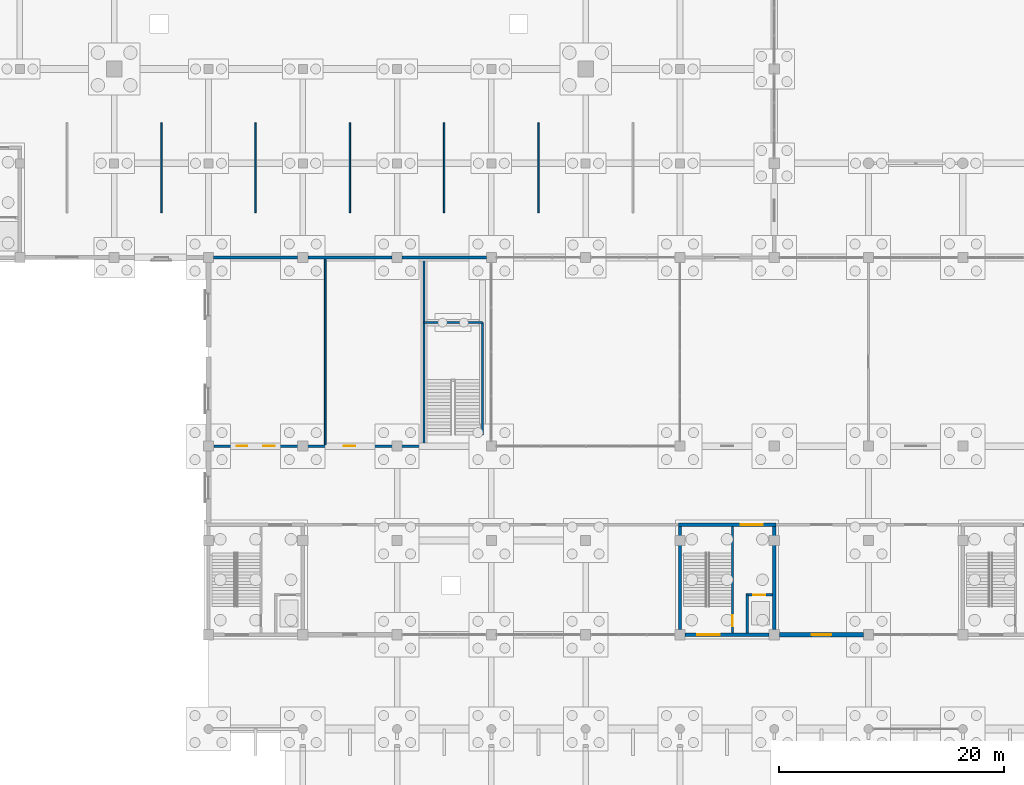
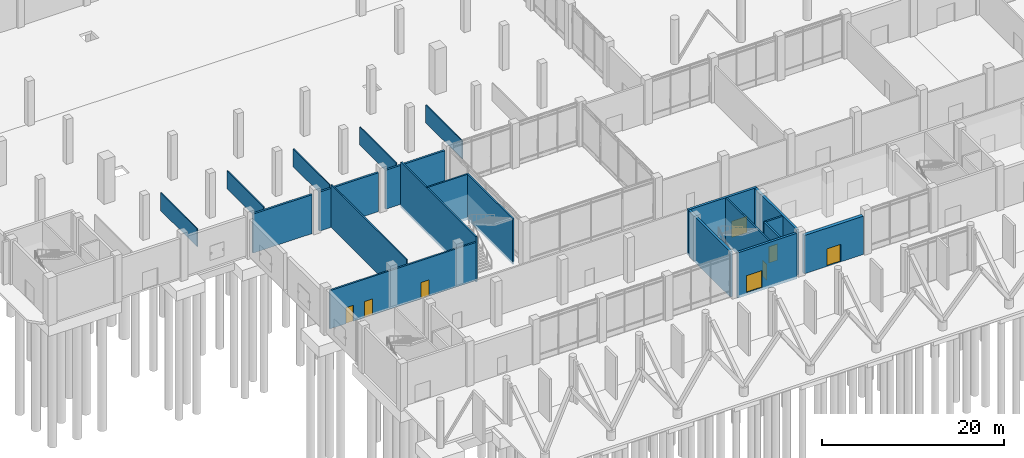
# One storey, part 52 of 72: 21 walls, 8 doors, 8 openings.
"""IFC4 building model written with IfcOpenShell, lengths in metres."""

from ifc_helpers import new_model, si_unit, direction, frame, frame_2d, origin, place, context, subcontext, project, spatial, rectangle, extrude, material, layer, layer_set, type_object, element, fill, save


model = new_model("IFC4")

# Units and contexts
model_context = context("Model", 3, precision=1e-05, world=origin(), true_north=direction((0.0, 1.0)))
body_context = subcontext(model_context, "Body", "Model", "MODEL_VIEW")
ifc_project = project(units=[si_unit("LENGTHUNIT", "METRE"), si_unit("AREAUNIT", "SQUARE_METRE"), si_unit("VOLUMEUNIT", "CUBIC_METRE"), si_unit("PLANEANGLEUNIT", "RADIAN"), si_unit("MASSUNIT", "GRAM", prefix="KILO")], contexts=[model_context])

# Site, building, storey
site_placement = place(None, origin())
site = spatial("IfcSite", under=ifc_project, at=site_placement, CompositionType="ELEMENT")
building_placement = place(site_placement, origin())
building = spatial("IfcBuilding", under=site, at=building_placement, Name="Qawsi Khor Wholesale Market", CompositionType="ELEMENT")
storey_placement = place(building_placement, origin())
storey = spatial("IfcBuildingStorey", under=building, at=storey_placement, Name="L00", CompositionType="ELEMENT", Elevation=0.0)

# Wall, opening, door
ifc_material_1 = material(Name="Concrete C40/50", Category="concrete")
ifc_layer_1 = layer(ifc_material_1, 0.300048828125, Name="Concrete C40/50")
ifc_layer_set_1 = layer_set([ifc_layer_1], Name="Concrete C40/50")
wall_type_1 = type_object("IfcWallType", Name="Core Shear Wall RC 300 C40/50", PredefinedType="SHEAR", material=ifc_layer_set_1)
wall_1_placement = place(storey_placement, frame((75.14501953125, 8.39990234375, -0.360107421875), z_axis=(0.0, 0.0, 1.0), x_axis=(-1.0, 0.0, 0.0)))
wall_1 = element("IfcWall", 1, at=wall_1_placement, inside=storey, type_object=wall_type_1, Name="Core C02 south shear wall L00", PredefinedType="SHEAR", context=body_context, shape_type="SweptSolid", body=[
    extrude(rectangle(XDim=7.489990234375, YDim=0.300048828125, at=frame_2d((3.7451171875, 0.0))), origin(), (0.0, 0.0, 1.0), 6.080078125),
])
opening_1_placement = place(wall_1_placement, frame((4.39501953125, 0.0, 0.360107421875)))
opening_1 = element("IfcOpeningElement", 2, at=opening_1_placement, cuts=wall_1, Name="Opening ED-06", PredefinedType="OPENING", context=body_context, shape_type="SweptSolid", body=[
    extrude(rectangle(XDim=2.0, YDim=2.280029296875, at=frame_2d((1.0, 1.14013671875))), frame((0.0, 0.159912109375, 0.0), z_axis=(0.0, -1.0, 0.0), x_axis=(1.0, 0.0, 0.0)), (0.0, 0.0, 1.0), 0.320068359375),
])
ifc_material_2 = material(Name="Powder-Coated Galvanised Steel & Glazing", Category="steel")
door_type_1 = type_object("IfcDoorType", Name="Final Exit Stair Discharge Door 2000x2280 FD120S", OperationType="NOTDEFINED", PredefinedType="DOOR", material=ifc_material_2)
door_1_placement = place(opening_1_placement, origin())
door_1 = element("IfcDoor", 3, at=door_1_placement, inside=storey, type_object=door_type_1, Name="Final exit stair discharge door ST-02", OperationType="DOUBLE_DOOR_SINGLE_SWING", OverallHeight=2.280029296875, OverallWidth=2.0, PredefinedType="DOOR", context=body_context, shape_type="SweptSolid", body=[
    extrude(rectangle(XDim=2.0, YDim=2.280029296875, at=frame_2d((1.0, 1.14013671875))), frame((0.0, 0.02490234375, 0.0), z_axis=(0.0, -1.0, 0.0), x_axis=(1.0, 0.0, 0.0)), (0.0, 0.0, 1.0), 0.050048828125),
])
fill(opening_1, door_1)

# Wall
wall_2_placement = place(storey_placement, frame((67.199951171875, 8.85498046875, -0.360107421875), z_axis=(0.0, 0.0, 1.0), x_axis=(0.0, 1.0, 0.0)))
element("IfcWall", 4, at=wall_2_placement, inside=storey, type_object=wall_type_1, Name="Core C02 west shear wall L00", PredefinedType="SHEAR", context=body_context, shape_type="SweptSolid", body=[
    extrude(rectangle(XDim=9.195068359375, YDim=0.300048828125, at=frame_2d((4.59765625, 0.0))), origin(), (0.0, 0.0, 1.0), 6.080078125),
])

# Wall, opening, door
wall_3_placement = place(storey_placement, frame((67.050048828125, 18.199951171875, -0.360107421875), z_axis=(0.0, 0.0, 1.0), x_axis=(1.0, 0.0, 0.0)))
wall_3 = element("IfcWall", 5, at=wall_3_placement, inside=storey, type_object=wall_type_1, Name="Core C02 north shear wall L00", PredefinedType="SHEAR", context=body_context, shape_type="SweptSolid", body=[
    extrude(rectangle(XDim=8.699951171875, YDim=0.300048828125, at=frame_2d((4.35009765625, 0.0))), origin(), (0.0, 0.0, 1.0), 6.080078125),
])
opening_2_placement = place(wall_3_placement, frame((5.570068359375, 0.0, 0.360107421875)))
opening_2 = element("IfcOpeningElement", 6, at=opening_2_placement, cuts=wall_3, Name="Opening ID-01", PredefinedType="OPENING", context=body_context, shape_type="SweptSolid", body=[
    extrude(rectangle(XDim=1.9599609375, YDim=2.199951171875, at=frame_2d((0.97998046875, 1.10009765625))), frame((0.0, 0.159912109375, 0.0), z_axis=(0.0, -1.0, 0.0), x_axis=(1.0, 0.0, 0.0)), (0.0, 0.0, 1.0), 0.320068359375),
])
ifc_material_3 = material(Name="Steel Fire Door", Category="steel")
door_type_2 = type_object("IfcDoorType", Name="Stair & Core Fire Door 1960x2200 FD90S", OperationType="NOTDEFINED", PredefinedType="DOOR", material=ifc_material_3)
door_2_placement = place(opening_2_placement, origin())
door_2 = element("IfcDoor", 7, at=door_2_placement, inside=storey, type_object=door_type_2, Name="Core C02 fire door L00", OperationType="DOUBLE_DOOR_SINGLE_SWING", OverallHeight=2.199951171875, OverallWidth=1.9599609375, PredefinedType="DOOR", context=body_context, shape_type="SweptSolid", body=[
    extrude(rectangle(XDim=1.9599609375, YDim=2.199951171875, at=frame_2d((0.97998046875, 1.10009765625))), frame((0.0, 0.02490234375, 0.0), z_axis=(0.0, -1.0, 0.0), x_axis=(1.0, 0.0, 0.0)), (0.0, 0.0, 1.0), 0.050048828125),
])
fill(opening_2, door_2)

# Wall
wall_4_placement = place(storey_placement, frame((75.60009765625, 18.050048828125, -0.360107421875), z_axis=(0.0, 0.0, 1.0), x_axis=(0.0, -1.0, 0.0)))
element("IfcWall", 8, at=wall_4_placement, inside=storey, type_object=wall_type_1, Name="Core C02 east shear wall L00", PredefinedType="SHEAR", context=body_context, shape_type="SweptSolid", body=[
    extrude(rectangle(XDim=9.195068359375, YDim=0.300048828125, at=frame_2d((4.59765625, 0.0))), origin(), (0.0, 0.0, 1.0), 6.080078125),
])

# Wall, openings, doors
ifc_material_4 = material(Name="Gypsum Fireboard on Steel Stud", Category="steel")
ifc_layer_2 = layer(ifc_material_4, 0.2099609375, Name="Gypsum Fireboard on Steel Stud")
ifc_layer_set_2 = layer_set([ifc_layer_2], Name="Gypsum Fireboard on Steel Stud")
wall_type_2 = type_object("IfcWallType", Name="Corridor Fire Partition Wall 210", PredefinedType="PARTITIONING", material=ifc_layer_set_2)
wall_5_placement = place(storey_placement, frame((25.699951171875, 25.199951171875, 0.0), z_axis=(0.0, 0.0, 1.0), x_axis=(1.0, 0.0, 0.0)))
wall_5 = element("IfcWall", 9, at=wall_5_placement, inside=storey, type_object=wall_type_2, Name="PW-L00-034", PredefinedType="PARTITIONING", context=body_context, shape_type="SweptSolid", body=[
    extrude(rectangle(XDim=18.5, YDim=0.2099609375, at=frame_2d((9.25, 0.0))), origin(), (0.0, 0.0, 1.0), 5.1298828125),
])
opening_3_placement = place(wall_5_placement, frame((2.0400390625, 0.0, 0.0)))
opening_3 = element("IfcOpeningElement", 10, at=opening_3_placement, cuts=wall_5, Name="Opening ID-11", PredefinedType="OPENING", context=body_context, shape_type="SweptSolid", body=[
    extrude(rectangle(XDim=0.919921875, YDim=2.139892578125, at=frame_2d((0.4599609375, 1.06982421875))), frame((0.0, 0.114990234375, 0.0), z_axis=(0.0, -1.0, 0.0), x_axis=(1.0, 0.0, 0.0)), (0.0, 0.0, 1.0), 0.22998046875),
])
opening_4_placement = place(wall_5_placement, frame((4.385009765625, 0.0, 0.0)))
opening_4 = element("IfcOpeningElement", 11, at=opening_4_placement, cuts=wall_5, Name="Opening ID-12", PredefinedType="OPENING", context=body_context, shape_type="SweptSolid", body=[
    extrude(rectangle(XDim=1.030029296875, YDim=2.14990234375, at=frame_2d((0.51513671875, 1.074951171875))), frame((0.0, 0.114990234375, 0.0), z_axis=(0.0, -1.0, 0.0), x_axis=(1.0, 0.0, 0.0)), (0.0, 0.0, 1.0), 0.22998046875),
])
opening_5_placement = place(wall_5_placement, frame((11.530029296875, 0.0, 0.0)))
opening_5 = element("IfcOpeningElement", 12, at=opening_5_placement, cuts=wall_5, Name="Opening ID-07", PredefinedType="OPENING", context=body_context, shape_type="SweptSolid", body=[
    extrude(rectangle(XDim=1.06005859375, YDim=2.179931640625, at=frame_2d((0.530029296875, 1.08984375))), frame((0.0, 0.114990234375, 0.0), z_axis=(0.0, -1.0, 0.0), x_axis=(1.0, 0.0, 0.0)), (0.0, 0.0, 1.0), 0.22998046875),
])
ifc_material_5 = material(Name="High-Pressure Laminate", Category="steel")
door_type_3 = type_object("IfcDoorType", Name="Accessible WC Door 1030x2150", OperationType="NOTDEFINED", PredefinedType="DOOR", material=ifc_material_5)
door_3_placement = place(opening_4_placement, origin())
door_3 = element("IfcDoor", 13, at=door_3_placement, inside=storey, type_object=door_type_3, Name="Accessible WC Door 1030x2150 L00-035", OperationType="SINGLE_SWING_RIGHT", OverallHeight=2.14990234375, OverallWidth=1.030029296875, PredefinedType="DOOR", context=body_context, shape_type="SweptSolid", body=[
    extrude(rectangle(XDim=1.030029296875, YDim=2.14990234375, at=frame_2d((0.51513671875, 1.074951171875))), frame((0.0, 0.02490234375, 0.0), z_axis=(0.0, -1.0, 0.0), x_axis=(1.0, 0.0, 0.0)), (0.0, 0.0, 1.0), 0.050048828125),
])
fill(opening_4, door_3)
ifc_material_6 = material(Name="Hardwood Timber Veneer", Category="wood")
door_type_4 = type_object("IfcDoorType", Name="Clearinghouse Suite Door 1060x2180", OperationType="NOTDEFINED", PredefinedType="DOOR", material=ifc_material_6)
door_4_placement = place(opening_5_placement, origin())
door_4 = element("IfcDoor", 14, at=door_4_placement, inside=storey, type_object=door_type_4, Name="Clearinghouse Suite Door 1060x2180 L00-036", OperationType="SINGLE_SWING_LEFT", OverallHeight=2.179931640625, OverallWidth=1.06005859375, PredefinedType="DOOR", context=body_context, shape_type="SweptSolid", body=[
    extrude(rectangle(XDim=1.06005859375, YDim=2.179931640625, at=frame_2d((0.530029296875, 1.08984375))), frame((0.0, 0.02490234375, 0.0), z_axis=(0.0, -1.0, 0.0), x_axis=(1.0, 0.0, 0.0)), (0.0, 0.0, 1.0), 0.050048828125),
])
fill(opening_5, door_4)
door_type_5 = type_object("IfcDoorType", Name="Public Toilet Entrance Door 920x2140", OperationType="NOTDEFINED", PredefinedType="DOOR", material=ifc_material_5)
door_5_placement = place(opening_3_placement, origin())
door_5 = element("IfcDoor", 15, at=door_5_placement, inside=storey, type_object=door_type_5, Name="Public Toilet Entrance Door 920x2140 L00-034", OperationType="SINGLE_SWING_LEFT", OverallHeight=2.139892578125, OverallWidth=0.919921875, PredefinedType="DOOR", context=body_context, shape_type="SweptSolid", body=[
    extrude(rectangle(XDim=0.919921875, YDim=2.139892578125, at=frame_2d((0.4599609375, 1.06982421875))), frame((0.0, 0.02490234375, 0.0), z_axis=(0.0, -1.0, 0.0), x_axis=(1.0, 0.0, 0.0)), (0.0, 0.0, 1.0), 0.050048828125),
])
fill(opening_3, door_5)

# Walls
ifc_material_7 = material(Name="Concrete Blockwork & Plaster", Category="masonry")
ifc_layer_3 = layer(ifc_material_7, 0.25, Name="Concrete Blockwork & Plaster")
ifc_layer_set_3 = layer_set([ifc_layer_3], Name="Concrete Blockwork & Plaster")
wall_type_3 = type_object("IfcWallType", Name="Fire Compartment Masonry Wall 250", PredefinedType="SOLIDWALL", material=ifc_layer_set_3)
for number, where, z_axis, x_axis, name in (
    (16, (25.64990234375, 42.0, 0.0), (0.0, 0.0, 1.0), (1.0, 0.0, 0.0), "Grid F fire compartment wall L00-03"),
    (17, (34.050048828125, 42.0, 0.0), (0.0, 0.0, 1.0), (1.0, 0.0, 0.0), "Grid F fire compartment wall L00-04"),
    (18, (42.449951171875, 42.0, 0.0), (0.0, 0.0, 1.0), (1.0, 0.0, 0.0), "Grid F fire compartment wall L00-05"),
):
    element("IfcWall", number, at=place(storey_placement, frame(where, z_axis=z_axis, x_axis=x_axis)), inside=storey, type_object=wall_type_3, Name=name, PredefinedType="SOLIDWALL", context=body_context, shape_type="SweptSolid", body=[
        extrude(rectangle(XDim=7.5, YDim=0.25, at=frame_2d((3.75, 0.0))), origin(), (0.0, 0.0, 1.0), 5.219970703125),
    ])
ifc_layer_4 = layer(ifc_material_1, 0.219970703125, Name="Concrete C40/50")
ifc_layer_set_4 = layer_set([ifc_layer_4], Name="Concrete C40/50")
wall_type_4 = type_object("IfcWallType", Name="Lift & Stair Shaft Wall RC 220", PredefinedType="SOLIDWALL", material=ifc_layer_set_4)
wall_6_placement = place(storey_placement, frame((73.2099609375, 8.56005859375, 0.0), z_axis=(0.0, 0.0, 1.0), x_axis=(0.0, 1.0, 0.0)))
element("IfcWall", 19, at=wall_6_placement, inside=storey, type_object=wall_type_4, Name="Lift PL-01 shaft wall W L00", PredefinedType="SOLIDWALL", context=body_context, shape_type="SweptSolid", body=[
    extrude(rectangle(XDim=3.389892578125, YDim=0.219970703125, at=frame_2d((1.69482421875, 0.0))), origin(), (0.0, 0.0, 1.0), 5.719970703125),
])

# Wall, opening, door
wall_7_placement = place(storey_placement, frame((73.10009765625, 11.949951171875, 0.0), z_axis=(0.0, 0.0, 1.0), x_axis=(1.0, 0.0, 0.0)))
wall_7 = element("IfcWall", 20, at=wall_7_placement, inside=storey, type_object=wall_type_4, Name="Lift PL-01 shaft wall N L00", PredefinedType="SOLIDWALL", context=body_context, shape_type="SweptSolid", body=[
    extrude(rectangle(XDim=2.33984375, YDim=0.219970703125, at=frame_2d((1.169921875, 0.0))), origin(), (0.0, 0.0, 1.0), 5.719970703125),
])
opening_6_placement = place(wall_7_placement, frame((0.6201171875, 0.0, 0.0)))
opening_6 = element("IfcOpeningElement", 21, at=opening_6_placement, cuts=wall_7, Name="Opening LD-P110", PredefinedType="OPENING", context=body_context, shape_type="SweptSolid", body=[
    extrude(rectangle(XDim=1.10009765625, YDim=2.199951171875, at=frame_2d((0.550048828125, 1.10009765625))), frame((0.0, 0.119873046875, 0.0), z_axis=(0.0, -1.0, 0.0), x_axis=(1.0, 0.0, 0.0)), (0.0, 0.0, 1.0), 0.239990234375),
])
ifc_material_8 = material(Name="Brushed Stainless Steel", Category="steel")
door_type_6 = type_object("IfcDoorType", Name="Passenger Lift Landing Sliding Door 1100x2200 FD90S", OperationType="NOTDEFINED", PredefinedType="DOOR", material=ifc_material_8)
door_6_placement = place(opening_6_placement, origin())
door_6 = element("IfcDoor", 22, at=door_6_placement, inside=storey, type_object=door_type_6, Name="Lift PL-01 landing door L00", OperationType="SLIDING_TO_LEFT", OverallHeight=2.199951171875, OverallWidth=1.10009765625, PredefinedType="DOOR", context=body_context, shape_type="SweptSolid", body=[
    extrude(rectangle(XDim=1.10009765625, YDim=2.199951171875, at=frame_2d((0.550048828125, 1.10009765625))), frame((0.0, 0.02490234375, 0.0), z_axis=(0.0, -1.0, 0.0), x_axis=(1.0, 0.0, 0.0)), (0.0, 0.0, 1.0), 0.050048828125),
])
fill(opening_6, door_6)

# Walls
ifc_material_9 = material(Name="Precast Terrazzo Concrete C40/50", Category="concrete")
ifc_layer_5 = layer(ifc_material_9, 0.135009765625, Name="Precast Terrazzo Concrete C40/50")
ifc_layer_set_5 = layer_set([ifc_layer_5], Name="Precast Terrazzo Concrete C40/50")
wall_type_5 = type_object("IfcWallType", Name="Market Stall Low Divider Wall 135", PredefinedType="PARTITIONING", material=ifc_layer_set_5)
for number, where, z_axis, x_axis, name in (
    (23, (21.0, 46.0, 0.0), (0.0, 0.0, 1.0), (0.0, 1.0, 0.0), "PW-L00-011"),
    (24, (29.39990234375, 46.0, 0.0), (0.0, 0.0, 1.0), (0.0, 1.0, 0.0), "PW-L00-013"),
    (25, (37.800048828125, 46.0, 0.0), (0.0, 0.0, 1.0), (0.0, 1.0, 0.0), "PW-L00-015"),
    (26, (46.199951171875, 46.0, 0.0), (0.0, 0.0, 1.0), (0.0, 1.0, 0.0), "PW-L00-017"),
    (27, (54.60009765625, 46.0, 0.0), (0.0, 0.0, 1.0), (0.0, 1.0, 0.0), "PW-L00-019"),
):
    element("IfcWall", number, at=place(storey_placement, frame(where, z_axis=z_axis, x_axis=x_axis)), inside=storey, type_object=wall_type_5, Name=name, PredefinedType="PARTITIONING", context=body_context, shape_type="SweptSolid", body=[
        extrude(rectangle(XDim=8.0, YDim=0.135009765625, at=frame_2d((4.0, 0.0))), origin(), (0.0, 0.0, 1.0), 2.39990234375),
    ])

# Wall, opening, door
ifc_layer_6 = layer(ifc_material_1, 0.429931640625, Name="Concrete C40/50")
ifc_layer_set_6 = layer_set([ifc_layer_6], Name="Concrete C40/50")
wall_type_6 = type_object("IfcWallType", Name="Sculpted Ribbed Concrete Facade Wall 430", PredefinedType="SOLIDWALL", material=ifc_layer_set_6)
wall_8_placement = place(storey_placement, frame((83.544921875, 8.39990234375, 0.0), z_axis=(0.0, 0.0, 1.0), x_axis=(-1.0, 0.0, 0.0)))
wall_8 = element("IfcWall", 28, at=wall_8_placement, inside=storey, type_object=wall_type_6, Name="EW-L00-CAF-09", PredefinedType="SOLIDWALL", context=body_context, shape_type="SweptSolid", body=[
    extrude(rectangle(XDim=7.489990234375, YDim=0.429931640625, at=frame_2d((3.7451171875, 0.0))), origin(), (0.0, 0.0, 1.0), 5.1298828125),
])
opening_7_placement = place(wall_8_placement, frame((2.864990234375, 0.0, 0.0)))
opening_7 = element("IfcOpeningElement", 29, at=opening_7_placement, cuts=wall_8, Name="Opening ED-04", PredefinedType="OPENING", context=body_context, shape_type="SweptSolid", body=[
    extrude(rectangle(XDim=1.760009765625, YDim=2.360107421875, at=frame_2d((0.8798828125, 1.18017578125))), frame((0.0, 0.224853515625, 0.0), z_axis=(0.0, -1.0, 0.0), x_axis=(1.0, 0.0, 0.0)), (0.0, 0.0, 1.0), 0.449951171875),
])
door_type_7 = type_object("IfcDoorType", Name="Market Cafe Terrace Double Door 1760x2360", OperationType="NOTDEFINED", PredefinedType="DOOR", material=ifc_material_2)
door_7_placement = place(opening_7_placement, origin())
door_7 = element("IfcDoor", 30, at=door_7_placement, inside=storey, type_object=door_type_7, Name="Boulevard Cafe Entrance", OperationType="DOUBLE_DOOR_SINGLE_SWING", OverallHeight=2.360107421875, OverallWidth=1.760009765625, PredefinedType="DOOR", context=body_context, shape_type="SweptSolid", body=[
    extrude(rectangle(XDim=1.760009765625, YDim=2.360107421875, at=frame_2d((0.8798828125, 1.18017578125))), frame((0.0, 0.02490234375, 0.0), z_axis=(0.0, -1.0, 0.0), x_axis=(1.0, 0.0, 0.0)), (0.0, 0.0, 1.0), 0.050048828125),
])
fill(opening_7, door_7)

ifc_layer_7 = layer(ifc_material_1, 0.18994140625, Name="Concrete C40/50")
ifc_layer_set_7 = layer_set([ifc_layer_7], Name="Concrete C40/50")
wall_type_7 = type_object("IfcWallType", Name="Stairwell Enclosure Wall RC 190", PredefinedType="SOLIDWALL", material=ifc_layer_set_7)
wall_9_placement = place(storey_placement, frame((71.8798828125, 8.56005859375, -0.360107421875), z_axis=(0.0, 0.0, 1.0), x_axis=(0.0, 1.0, 0.0)))
wall_9 = element("IfcWall", 31, at=wall_9_placement, inside=storey, type_object=wall_type_7, Name="Core C02 stairwell enclosure wall L00", PredefinedType="SOLIDWALL", context=body_context, shape_type="SweptSolid", body=[
    extrude(rectangle(XDim=9.47998046875, YDim=0.18994140625, at=frame_2d((4.739990234375, 0.0))), origin(), (0.0, 0.0, 1.0), 6.080078125),
])
opening_8_placement = place(wall_9_placement, frame((0.580078125, 0.0, 0.360107421875)))
opening_8 = element("IfcOpeningElement", 32, at=opening_8_placement, cuts=wall_9, Name="Opening ID-17", PredefinedType="OPENING", context=body_context, shape_type="SweptSolid", body=[
    extrude(rectangle(XDim=0.97998046875, YDim=2.14990234375, at=frame_2d((0.489990234375, 1.074951171875))), frame((0.0, 0.10498046875, 0.0), z_axis=(0.0, -1.0, 0.0), x_axis=(1.0, 0.0, 0.0)), (0.0, 0.0, 1.0), 0.2099609375),
])
door_type_8 = type_object("IfcDoorType", Name="Core Stair Lobby Fire Door 980x2150 FD120S", OperationType="NOTDEFINED", PredefinedType="DOOR", material=ifc_material_3)
door_8_placement = place(opening_8_placement, origin())
door_8 = element("IfcDoor", 33, at=door_8_placement, inside=storey, type_object=door_type_8, Name="Core C02 stair enclosure fire door L00", OperationType="SINGLE_SWING_LEFT", OverallHeight=2.14990234375, OverallWidth=0.97998046875, PredefinedType="DOOR", context=body_context, shape_type="SweptSolid", body=[
    extrude(rectangle(XDim=0.97998046875, YDim=2.14990234375, at=frame_2d((0.489990234375, 1.074951171875))), frame((0.0, 0.02490234375, 0.0), z_axis=(0.0, -1.0, 0.0), x_axis=(1.0, 0.0, 0.0)), (0.0, 0.0, 1.0), 0.050048828125),
])
fill(opening_8, door_8)

# Walls
wall_10_placement = place(storey_placement, frame((44.39990234375, 25.300048828125, -0.360107421875), z_axis=(0.0, 0.0, 1.0), x_axis=(0.0, 1.0, 0.0)))
element("IfcWall", 34, at=wall_10_placement, inside=storey, type_object=wall_type_7, Name="Atrium stair enclosure W W L00", PredefinedType="SOLIDWALL", context=body_context, shape_type="SweptSolid", body=[
    extrude(rectangle(XDim=16.489990234375, YDim=0.18994140625, at=frame_2d((8.2451171875, 0.0))), origin(), (0.0, 0.0, 1.0), 6.080078125),
])
wall_11_placement = place(storey_placement, frame((44.39990234375, 36.199951171875, -0.360107421875), z_axis=(0.0, 0.0, 1.0), x_axis=(1.0, 0.0, 0.0)))
element("IfcWall", 35, at=wall_11_placement, inside=storey, type_object=wall_type_7, Name="Atrium stair enclosure N W L00", PredefinedType="SOLIDWALL", context=body_context, shape_type="SweptSolid", body=[
    extrude(rectangle(XDim=5.2001953125, YDim=0.18994140625, at=frame_2d((2.60009765625, 0.0))), origin(), (0.0, 0.0, 1.0), 6.080078125),
])
wall_12_placement = place(storey_placement, frame((49.60009765625, 26.199951171875, -0.360107421875), z_axis=(0.0, 0.0, 1.0), x_axis=(0.0, 1.0, 0.0)))
element("IfcWall", 36, at=wall_12_placement, inside=storey, type_object=wall_type_7, Name="Atrium stair enclosure E W L00", PredefinedType="SOLIDWALL", context=body_context, shape_type="SweptSolid", body=[
    extrude(rectangle(XDim=10.0, YDim=0.18994140625, at=frame_2d((5.0, 0.0))), origin(), (0.0, 0.0, 1.0), 6.080078125),
])
ifc_material_10 = material(Name="Cementitious Tile Backer Board", Category="gypsum")
ifc_layer_8 = layer(ifc_material_10, 0.1650390625, Name="Cementitious Tile Backer Board")
ifc_layer_set_8 = layer_set([ifc_layer_8], Name="Cementitious Tile Backer Board")
wall_type_8 = type_object("IfcWallType", Name="Wet-Area Tile-Backed Partition 165", PredefinedType="PARTITIONING", material=ifc_layer_set_8)
wall_13_placement = place(storey_placement, frame((35.60009765625, 25.304931640625, 0.0), z_axis=(0.0, 0.0, 1.0), x_axis=(0.0, 1.0, 0.0)))
element("IfcWall", 37, at=wall_13_placement, inside=storey, type_object=wall_type_8, Name="PW-L00-037", PredefinedType="PARTITIONING", context=body_context, shape_type="SweptSolid", body=[
    extrude(rectangle(XDim=16.570068359375, YDim=0.1650390625, at=frame_2d((8.28515625, 0.0))), origin(), (0.0, 0.0, 1.0), 5.719970703125),
])

save(model, "model.ifc")
